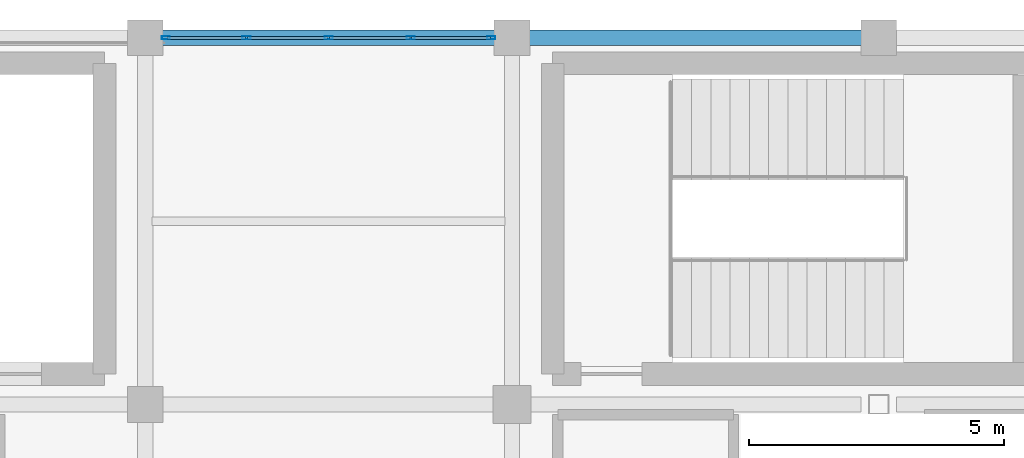
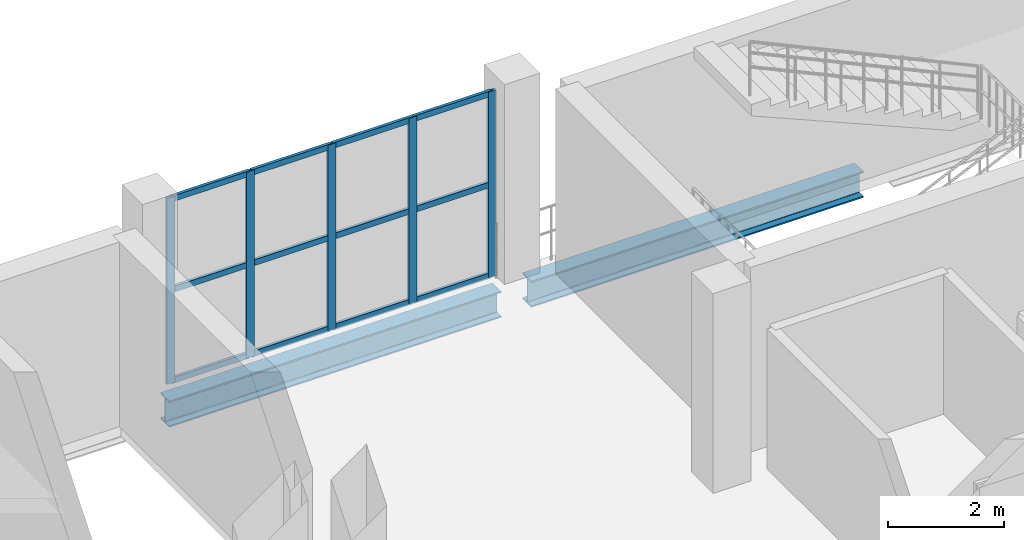
# One storey, part 88 of 130: 17 members, 2 beams, 1 element without a shape of its own.
"""IFC4 building model written with IfcOpenShell, lengths in metres."""

from ifc_helpers import new_model, si_unit, direction, frame, origin, origin_2d, place, context, subcontext, project, spatial, hollow_rectangle, i_section, extrude, material, material_profile, profile_set, type_object, element, aggregate, save


model = new_model("IFC4")

# Units and contexts
model_context = context("Model", 3, precision=1e-05, world=origin(), true_north=direction((0.0, 1.0)))
body_context = subcontext(model_context, "Body", "Model", "MODEL_VIEW")
ifc_project = project(units=[si_unit("LENGTHUNIT", "METRE"), si_unit("AREAUNIT", "SQUARE_METRE"), si_unit("VOLUMEUNIT", "CUBIC_METRE"), si_unit("PLANEANGLEUNIT", "RADIAN"), si_unit("MASSUNIT", "GRAM", prefix="KILO")], contexts=[model_context])

# Site, building, storey
site_placement = place(None, origin())
site = spatial("IfcSite", under=ifc_project, at=site_placement, CompositionType="ELEMENT")
building_placement = place(site_placement, origin())
building = spatial("IfcBuilding", under=site, at=building_placement, Name="Qandorah Velis Arena", CompositionType="ELEMENT")
storey_placement = place(building_placement, frame((0.0, 0.0, 9.60009765625)))
storey = spatial("IfcBuildingStorey", under=building, at=storey_placement, Name="L02", CompositionType="ELEMENT", Elevation=9.60009765625)

# Curtain wall, members
ifc_material_1 = material(Name="Solar-control low-E double glazing", Category="glass")
curtain_wall_type = type_object("IfcCurtainWallType", Name="ARC-CW-SYS15", PredefinedType="USERDEFINED", material=ifc_material_1)
curtain_wall_placement = place(storey_placement, origin())
curtain_wall = element("IfcCurtainWall", 1, at=curtain_wall_placement, inside=storey, type_object=curtain_wall_type, Name="Unitised curtain wall L02-087", ObjectType="UNITISED CURTAIN WALL", PredefinedType="USERDEFINED")
ifc_material_2 = material(Name="Champagne-bronze anodized aluminium 6063-T6", Category="aluminium")
ifc_material_profile_1 = material_profile(ifc_material_2, hollow_rectangle(XDim=0.06005859375, YDim=0.159912109375, WallThickness=0.00341796875, at=origin_2d()), Name="ALU MULLION 60x160")
ifc_profile_set_1 = profile_set([ifc_material_profile_1], Name="Champagne-bronze anodized aluminium 6063-T6")
member_type_1 = type_object("IfcMemberType", Name="ARC-CWM-160", PredefinedType="MULLION", material=ifc_profile_set_1)
member_1_placement = place(storey_placement, frame((86.804931640625, 129.60009765625, -0.01513671875), z_axis=(0.0, 0.0, 1.0), x_axis=(0.0, 1.0, 0.0)))
member_1 = element("IfcMember", 2, at=member_1_placement, type_object=member_type_1, Name="CW15 mullion 1", PredefinedType="MULLION", context=body_context, shape_type="SweptSolid", body=[
    extrude(hollow_rectangle(XDim=0.06005859375, YDim=0.159912109375, WallThickness=0.00341796875, at=origin_2d()), origin(), (0.0, 0.0, 1.0), 3.91015625),
])
member_2_placement = place(storey_placement, frame((88.387451171875, 129.60009765625, -0.01513671875), z_axis=(0.0, 0.0, 1.0), x_axis=(0.0, 1.0, 0.0)))
member_2 = element("IfcMember", 3, at=member_2_placement, type_object=member_type_1, Name="CW15 mullion 2", PredefinedType="MULLION", context=body_context, shape_type="SweptSolid", body=[
    extrude(hollow_rectangle(XDim=0.06005859375, YDim=0.159912109375, WallThickness=0.00341796875, at=origin_2d()), origin(), (0.0, 0.0, 1.0), 3.91015625),
])
member_3_placement = place(storey_placement, frame((90.0, 129.60009765625, -0.01513671875), z_axis=(0.0, 0.0, 1.0), x_axis=(0.0, 1.0, 0.0)))
member_3 = element("IfcMember", 4, at=member_3_placement, type_object=member_type_1, Name="CW15 mullion 3", PredefinedType="MULLION", context=body_context, shape_type="SweptSolid", body=[
    extrude(hollow_rectangle(XDim=0.06005859375, YDim=0.159912109375, WallThickness=0.00341796875, at=origin_2d()), origin(), (0.0, 0.0, 1.0), 3.91015625),
])
member_4_placement = place(storey_placement, frame((91.612548828125, 129.60009765625, -0.01513671875), z_axis=(0.0, 0.0, 1.0), x_axis=(0.0, 1.0, 0.0)))
member_4 = element("IfcMember", 5, at=member_4_placement, type_object=member_type_1, Name="CW15 mullion 4", PredefinedType="MULLION", context=body_context, shape_type="SweptSolid", body=[
    extrude(hollow_rectangle(XDim=0.06005859375, YDim=0.159912109375, WallThickness=0.00341796875, at=origin_2d()), origin(), (0.0, 0.0, 1.0), 3.91015625),
])
member_5_placement = place(storey_placement, frame((93.195068359375, 129.60009765625, -0.01513671875), z_axis=(0.0, 0.0, 1.0), x_axis=(0.0, 1.0, 0.0)))
member_5 = element("IfcMember", 6, at=member_5_placement, type_object=member_type_1, Name="CW15 mullion 5", PredefinedType="MULLION", context=body_context, shape_type="SweptSolid", body=[
    extrude(hollow_rectangle(XDim=0.06005859375, YDim=0.159912109375, WallThickness=0.00341796875, at=origin_2d()), origin(), (0.0, 0.0, 1.0), 3.91015625),
])
ifc_material_profile_2 = material_profile(ifc_material_2, hollow_rectangle(XDim=0.06005859375, YDim=0.1201171875, WallThickness=0.0029296875, at=origin_2d()), Name="ALU TRANSOM 60x120")
ifc_profile_set_2 = profile_set([ifc_material_profile_2], Name="Champagne-bronze anodized aluminium 6063-T6")
member_type_2 = type_object("IfcMemberType", Name="ARC-CWT-120", PredefinedType="USERDEFINED", material=ifc_profile_set_2)
member_6_placement = place(storey_placement, frame((86.822998046875, 129.60009765625, 0.02978515625), z_axis=(1.0, 0.0, 0.0), x_axis=(0.0, 1.0, 0.0)))
member_6 = element("IfcMember", 7, at=member_6_placement, type_object=member_type_2, Name="CW15 transom 1.1", ObjectType="TRANSOM", PredefinedType="USERDEFINED", context=body_context, shape_type="SweptSolid", body=[
    extrude(hollow_rectangle(XDim=0.06005859375, YDim=0.1201171875, WallThickness=0.0029296875, at=origin_2d()), origin(), (0.0, 0.0, 1.0), 1.54638671875),
])
member_7_placement = place(storey_placement, frame((86.822998046875, 129.60009765625, 1.93994140625), z_axis=(1.0, 0.0, 0.0), x_axis=(0.0, 1.0, 0.0)))
member_7 = element("IfcMember", 8, at=member_7_placement, type_object=member_type_2, Name="CW15 transom 1.2", ObjectType="TRANSOM", PredefinedType="USERDEFINED", context=body_context, shape_type="SweptSolid", body=[
    extrude(hollow_rectangle(XDim=0.06005859375, YDim=0.1201171875, WallThickness=0.0029296875, at=origin_2d()), origin(), (0.0, 0.0, 1.0), 1.54638671875),
])
member_8_placement = place(storey_placement, frame((86.822998046875, 129.60009765625, 3.849853515625), z_axis=(1.0, 0.0, 0.0), x_axis=(0.0, 1.0, 0.0)))
member_8 = element("IfcMember", 9, at=member_8_placement, type_object=member_type_2, Name="CW15 transom 1.3", ObjectType="TRANSOM", PredefinedType="USERDEFINED", context=body_context, shape_type="SweptSolid", body=[
    extrude(hollow_rectangle(XDim=0.06005859375, YDim=0.1201171875, WallThickness=0.0029296875, at=origin_2d()), origin(), (0.0, 0.0, 1.0), 1.54638671875),
])
member_9_placement = place(storey_placement, frame((88.405517578125, 129.60009765625, 0.02978515625), z_axis=(1.0, 0.0, 0.0), x_axis=(0.0, 1.0, 0.0)))
member_9 = element("IfcMember", 10, at=member_9_placement, type_object=member_type_2, Name="CW15 transom 2.1", ObjectType="TRANSOM", PredefinedType="USERDEFINED", context=body_context, shape_type="SweptSolid", body=[
    extrude(hollow_rectangle(XDim=0.06005859375, YDim=0.1201171875, WallThickness=0.0029296875, at=origin_2d()), origin(), (0.0, 0.0, 1.0), 1.576416015625),
])
member_10_placement = place(storey_placement, frame((88.405517578125, 129.60009765625, 1.93994140625), z_axis=(1.0, 0.0, 0.0), x_axis=(0.0, 1.0, 0.0)))
member_10 = element("IfcMember", 11, at=member_10_placement, type_object=member_type_2, Name="CW15 transom 2.2", ObjectType="TRANSOM", PredefinedType="USERDEFINED", context=body_context, shape_type="SweptSolid", body=[
    extrude(hollow_rectangle(XDim=0.06005859375, YDim=0.1201171875, WallThickness=0.0029296875, at=origin_2d()), origin(), (0.0, 0.0, 1.0), 1.576416015625),
])
member_11_placement = place(storey_placement, frame((88.405517578125, 129.60009765625, 3.849853515625), z_axis=(1.0, 0.0, 0.0), x_axis=(0.0, 1.0, 0.0)))
member_11 = element("IfcMember", 12, at=member_11_placement, type_object=member_type_2, Name="CW15 transom 2.3", ObjectType="TRANSOM", PredefinedType="USERDEFINED", context=body_context, shape_type="SweptSolid", body=[
    extrude(hollow_rectangle(XDim=0.06005859375, YDim=0.1201171875, WallThickness=0.0029296875, at=origin_2d()), origin(), (0.0, 0.0, 1.0), 1.576416015625),
])
member_12_placement = place(storey_placement, frame((90.01806640625, 129.60009765625, 0.02978515625), z_axis=(1.0, 0.0, 0.0), x_axis=(0.0, 1.0, 0.0)))
member_12 = element("IfcMember", 13, at=member_12_placement, type_object=member_type_2, Name="CW15 transom 3.1", ObjectType="TRANSOM", PredefinedType="USERDEFINED", context=body_context, shape_type="SweptSolid", body=[
    extrude(hollow_rectangle(XDim=0.06005859375, YDim=0.1201171875, WallThickness=0.0029296875, at=origin_2d()), origin(), (0.0, 0.0, 1.0), 1.576416015625),
])
member_13_placement = place(storey_placement, frame((90.01806640625, 129.60009765625, 1.93994140625), z_axis=(1.0, 0.0, 0.0), x_axis=(0.0, 1.0, 0.0)))
member_13 = element("IfcMember", 14, at=member_13_placement, type_object=member_type_2, Name="CW15 transom 3.2", ObjectType="TRANSOM", PredefinedType="USERDEFINED", context=body_context, shape_type="SweptSolid", body=[
    extrude(hollow_rectangle(XDim=0.06005859375, YDim=0.1201171875, WallThickness=0.0029296875, at=origin_2d()), origin(), (0.0, 0.0, 1.0), 1.576416015625),
])
member_14_placement = place(storey_placement, frame((90.01806640625, 129.60009765625, 3.849853515625), z_axis=(1.0, 0.0, 0.0), x_axis=(0.0, 1.0, 0.0)))
member_14 = element("IfcMember", 15, at=member_14_placement, type_object=member_type_2, Name="CW15 transom 3.3", ObjectType="TRANSOM", PredefinedType="USERDEFINED", context=body_context, shape_type="SweptSolid", body=[
    extrude(hollow_rectangle(XDim=0.06005859375, YDim=0.1201171875, WallThickness=0.0029296875, at=origin_2d()), origin(), (0.0, 0.0, 1.0), 1.576416015625),
])
member_15_placement = place(storey_placement, frame((91.630615234375, 129.60009765625, 0.02978515625), z_axis=(1.0, 0.0, 0.0), x_axis=(0.0, 1.0, 0.0)))
member_15 = element("IfcMember", 16, at=member_15_placement, type_object=member_type_2, Name="CW15 transom 4.1", ObjectType="TRANSOM", PredefinedType="USERDEFINED", context=body_context, shape_type="SweptSolid", body=[
    extrude(hollow_rectangle(XDim=0.06005859375, YDim=0.1201171875, WallThickness=0.0029296875, at=origin_2d()), origin(), (0.0, 0.0, 1.0), 1.54638671875),
])
member_16_placement = place(storey_placement, frame((91.630615234375, 129.60009765625, 1.93994140625), z_axis=(1.0, 0.0, 0.0), x_axis=(0.0, 1.0, 0.0)))
member_16 = element("IfcMember", 17, at=member_16_placement, type_object=member_type_2, Name="CW15 transom 4.2", ObjectType="TRANSOM", PredefinedType="USERDEFINED", context=body_context, shape_type="SweptSolid", body=[
    extrude(hollow_rectangle(XDim=0.06005859375, YDim=0.1201171875, WallThickness=0.0029296875, at=origin_2d()), origin(), (0.0, 0.0, 1.0), 1.54638671875),
])
member_17_placement = place(storey_placement, frame((91.630615234375, 129.60009765625, 3.849853515625), z_axis=(1.0, 0.0, 0.0), x_axis=(0.0, 1.0, 0.0)))
member_17 = element("IfcMember", 18, at=member_17_placement, type_object=member_type_2, Name="CW15 transom 4.3", ObjectType="TRANSOM", PredefinedType="USERDEFINED", context=body_context, shape_type="SweptSolid", body=[
    extrude(hollow_rectangle(XDim=0.06005859375, YDim=0.1201171875, WallThickness=0.0029296875, at=origin_2d()), origin(), (0.0, 0.0, 1.0), 1.54638671875),
])
aggregate(curtain_wall, [member_1, member_2, member_3, member_4, member_5, member_6, member_7, member_8, member_9, member_10, member_11, member_12, member_13, member_14, member_15, member_16, member_17])

# Beams
ifc_material_3 = material(Name="Steel S355", Category="steel")
ifc_material_profile_3 = material_profile(ifc_material_3, i_section(OverallWidth=0.300048828125, OverallDepth=0.550048828125, WebThickness=0.014892578125, FlangeThickness=0.029052734375, FilletRadius=0.027099609375, at=origin_2d()), Name="HEB 550")
ifc_profile_set_3 = profile_set([ifc_material_profile_3], Name="Steel S355")
beam_type = type_object("IfcBeamType", Name="STR-BM-HEB550", PredefinedType="BEAM", material=ifc_profile_set_3)
for number, where, z_axis, x_axis, name in (
    (19, (86.699951171875, 129.60009765625, -0.55517578125), (1.0, 0.0, 0.0), (0.0, 1.0, 0.0), "Primary floor girder L02 X-180"),
    (20, (93.89990234375, 129.60009765625, -0.55517578125), (1.0, 0.0, 0.0), (0.0, 1.0, 0.0), "Primary floor girder L02 X-181"),
):
    element("IfcBeam", number, at=place(storey_placement, frame(where, z_axis=z_axis, x_axis=x_axis)), inside=storey, type_object=beam_type, Name=name, PredefinedType="BEAM", context=body_context, shape_type="SweptSolid", body=[
        extrude(i_section(OverallWidth=0.300048828125, OverallDepth=0.550048828125, WebThickness=0.014892578125, FlangeThickness=0.029052734375, FilletRadius=0.027099609375, at=origin_2d()), origin(), (0.0, 0.0, 1.0), 6.60009765625),
    ])

save(model, "model.ifc")
